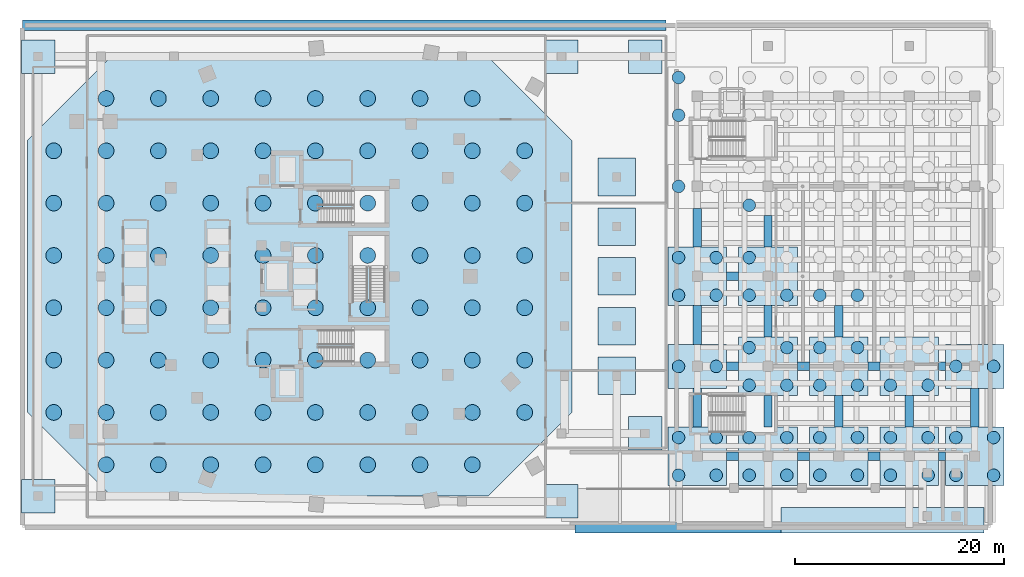
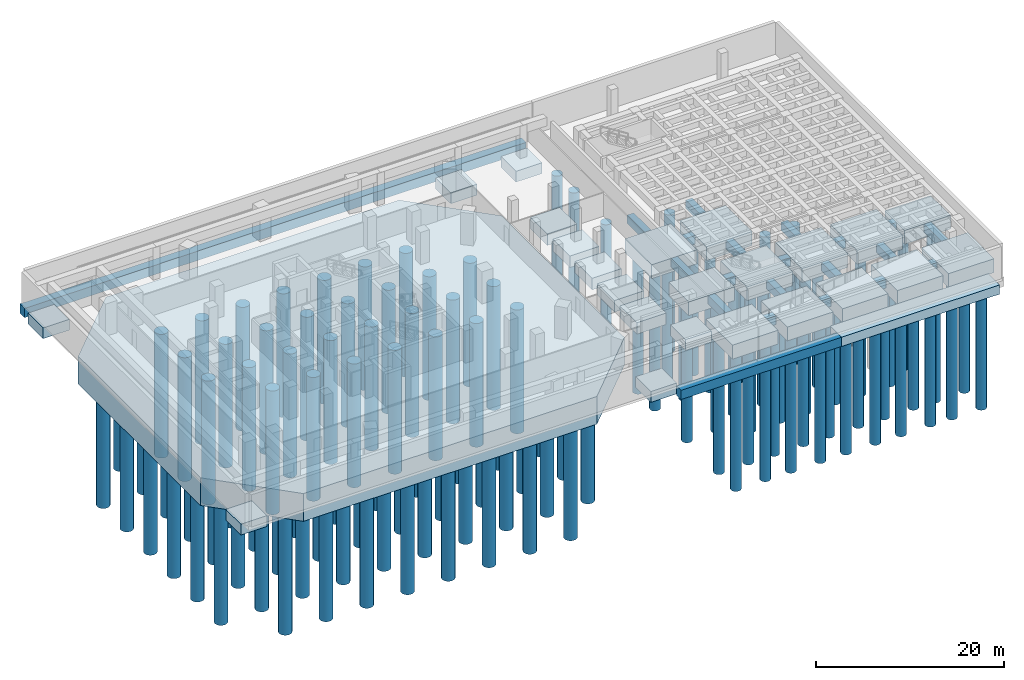
# One storey, part 1 of 15: 123 piles, 46 footings.
"""IFC4 building model written with IfcOpenShell, lengths in metres."""

from ifc_helpers import new_model, si_unit, direction, frame, origin, origin_2d, place, context, subcontext, project, spatial, polyline, rectangle, circle, outline, extrude, material, material_profile, profile_set, type_object, element, save


model = new_model("IFC4")

# Units and contexts
model_context = context("Model", 3, precision=1e-05, world=origin(), true_north=direction((0.0, 1.0)))
body_context = subcontext(model_context, "Body", "Model", "MODEL_VIEW")
ifc_project = project(units=[si_unit("LENGTHUNIT", "METRE"), si_unit("AREAUNIT", "SQUARE_METRE"), si_unit("VOLUMEUNIT", "CUBIC_METRE"), si_unit("PLANEANGLEUNIT", "RADIAN"), si_unit("MASSUNIT", "GRAM", prefix="KILO")], contexts=[model_context])

# Site, building, storey
site_placement = place(None, origin())
site = spatial("IfcSite", under=ifc_project, at=site_placement, CompositionType="ELEMENT")
building_placement = place(site_placement, origin())
building = spatial("IfcBuilding", under=site, at=building_placement, Name="Korentha Bioscience Tower", CompositionType="ELEMENT")
storey_placement = place(building_placement, frame((0.0, 0.0, -9.0)))
storey = spatial("IfcBuildingStorey", under=building, at=storey_placement, Name="B2", CompositionType="ELEMENT", Elevation=-9.0)

# Footings
ifc_material_1 = material(Name="Concrete C50", Category="concrete")
footing_type_1 = type_object("IfcFootingType", Name="Arcade Pad Footing 3600x3600x1500", PredefinedType="PAD_FOOTING", material=ifc_material_1)
for number, where, z_axis, x_axis, name in (
    (1, (58.800048828125, 17.5, -2.0), (0.0, 0.0, 1.0), (1.0, 0.0, 0.0), "Arcade Pad Footing PF-01"),
    (2, (58.800048828125, 22.25, -2.0), (0.0, 0.0, 1.0), (1.0, 0.0, 0.0), "Arcade Pad Footing PF-02"),
    (3, (58.800048828125, 27.0, -2.0), (0.0, 0.0, 1.0), (1.0, 0.0, 0.0), "Arcade Pad Footing PF-03"),
    (4, (58.800048828125, 31.75, -2.0), (0.0, 0.0, 1.0), (1.0, 0.0, 0.0), "Arcade Pad Footing PF-04"),
    (5, (58.800048828125, 36.5, -2.0), (0.0, 0.0, 1.0), (1.0, 0.0, 0.0), "Arcade Pad Footing PF-05"),
):
    element("IfcFooting", number, at=place(storey_placement, frame(where, z_axis=z_axis, x_axis=x_axis)), inside=storey, type_object=footing_type_1, Name=name, PredefinedType="PAD_FOOTING", context=body_context, shape_type="SweptSolid", body=[
        extrude(rectangle(XDim=3.60009765625, YDim=3.60009765625, at=origin_2d()), origin(), (0.0, 0.0, 1.0), 1.5),
    ])
footing_type_2 = type_object("IfcFootingType", Name="Basement Column Pad Footing 3200x3200x1400", PredefinedType="PAD_FOOTING", material=ifc_material_1)
for number, where, z_axis, x_axis, name in (
    (6, (3.5, 6.0, -1.89990234375), (0.0, 0.0, 1.0), (1.0, 0.0, 0.0), "Basement Column Pad Footing 01"),
    (7, (3.5, 48.0, -1.89990234375), (0.0, 0.0, 1.0), (1.0, 0.0, 0.0), "Basement Column Pad Footing 02"),
    (8, (53.5, 5.5, -1.89990234375), (0.0, 0.0, 1.0), (1.0, 0.0, 0.0), "Basement Column Pad Footing 03"),
    (9, (53.5, 48.0, -1.89990234375), (0.0, 0.0, 1.0), (1.0, 0.0, 0.0), "Basement Column Pad Footing 04"),
    (10, (61.5, 12.0, -1.89990234375), (0.0, 0.0, 1.0), (1.0, 0.0, 0.0), "Basement Column Pad Footing 05"),
    (11, (61.5, 48.0, -1.89990234375), (0.0, 0.0, 1.0), (1.0, 0.0, 0.0), "Basement Column Pad Footing 06"),
):
    element("IfcFooting", number, at=place(storey_placement, frame(where, z_axis=z_axis, x_axis=x_axis)), inside=storey, type_object=footing_type_2, Name=name, PredefinedType="PAD_FOOTING", context=body_context, shape_type="SweptSolid", body=[
        extrude(rectangle(XDim=3.199951171875, YDim=3.199951171875, at=origin_2d()), origin(), (0.0, 0.0, 1.0), 1.39990234375),
    ])

# Piles
ifc_material_profile_1 = material_profile(ifc_material_1, circle(Radius=0.60009765625, at=origin_2d()), Name="Concrete C50")
ifc_profile_set_1 = profile_set([ifc_material_profile_1], Name="Concrete C50 (PL-120)")
pile_type_1 = type_object("IfcPileType", Name="Bored Rock-Socketed Pile D1200", PredefinedType="BORED", material=ifc_profile_set_1)
for number, where, z_axis, x_axis, name in (
    (12, (64.699951171875, 8.0, -2.14990234375), (0.0, 0.0, -1.0), (1.0, 0.0, 0.0), "Theatre Bored Pile PL-120-001"),
    (13, (68.300048828125, 8.0, -2.14990234375), (0.0, 0.0, -1.0), (1.0, 0.0, 0.0), "Theatre Bored Pile PL-120-002"),
    (14, (64.699951171875, 11.60009765625, -2.14990234375), (0.0, 0.0, -1.0), (1.0, 0.0, 0.0), "Theatre Bored Pile PL-120-003"),
    (15, (68.300048828125, 11.60009765625, -2.14990234375), (0.0, 0.0, -1.0), (1.0, 0.0, 0.0), "Theatre Bored Pile PL-120-004"),
    (16, (64.699951171875, 18.39990234375, -2.14990234375), (0.0, 0.0, -1.0), (1.0, 0.0, 0.0), "Theatre Bored Pile PL-120-005"),
    (17, (68.300048828125, 18.39990234375, -2.14990234375), (0.0, 0.0, -1.0), (1.0, 0.0, 0.0), "Theatre Bored Pile PL-120-006"),
    (18, (64.699951171875, 25.199951171875, -2.14990234375), (0.0, 0.0, -1.0), (1.0, 0.0, 0.0), "Theatre Bored Pile PL-120-007"),
    (19, (68.300048828125, 25.199951171875, -2.14990234375), (0.0, 0.0, -1.0), (1.0, 0.0, 0.0), "Theatre Bored Pile PL-120-008"),
    (20, (64.699951171875, 28.800048828125, -2.14990234375), (0.0, 0.0, -1.0), (1.0, 0.0, 0.0), "Theatre Bored Pile PL-120-009"),
    (21, (68.300048828125, 28.800048828125, -2.14990234375), (0.0, 0.0, -1.0), (1.0, 0.0, 0.0), "Theatre Bored Pile PL-120-010"),
    (22, (64.699951171875, 35.60009765625, -2.14990234375), (0.0, 0.0, -1.0), (1.0, 0.0, 0.0), "Theatre Bored Pile PL-120-011"),
    (23, (64.699951171875, 42.39990234375, -2.14990234375), (0.0, 0.0, -1.0), (1.0, 0.0, 0.0), "Theatre Bored Pile PL-120-013"),
    (24, (64.699951171875, 46.0, -2.14990234375), (0.0, 0.0, -1.0), (1.0, 0.0, 0.0), "Theatre Bored Pile PL-120-015"),
    (25, (71.449951171875, 8.0, -2.14990234375), (0.0, 0.0, -1.0), (1.0, 0.0, 0.0), "Theatre Bored Pile PL-120-017"),
    (26, (75.050048828125, 8.0, -2.14990234375), (0.0, 0.0, -1.0), (1.0, 0.0, 0.0), "Theatre Bored Pile PL-120-018"),
    (27, (71.449951171875, 11.60009765625, -2.14990234375), (0.0, 0.0, -1.0), (1.0, 0.0, 0.0), "Theatre Bored Pile PL-120-019"),
    (28, (75.050048828125, 11.60009765625, -2.14990234375), (0.0, 0.0, -1.0), (1.0, 0.0, 0.0), "Theatre Bored Pile PL-120-020"),
    (29, (71.449951171875, 16.60009765625, -2.14990234375), (0.0, 0.0, -1.0), (1.0, 0.0, 0.0), "Theatre Bored Pile PL-120-021"),
    (30, (75.050048828125, 16.60009765625, -2.14990234375), (0.0, 0.0, -1.0), (1.0, 0.0, 0.0), "Theatre Bored Pile PL-120-022"),
    (31, (71.449951171875, 20.199951171875, -2.14990234375), (0.0, 0.0, -1.0), (1.0, 0.0, 0.0), "Theatre Bored Pile PL-120-023"),
    (32, (75.050048828125, 20.199951171875, -2.14990234375), (0.0, 0.0, -1.0), (1.0, 0.0, 0.0), "Theatre Bored Pile PL-120-024"),
    (33, (71.449951171875, 25.199951171875, -2.14990234375), (0.0, 0.0, -1.0), (1.0, 0.0, 0.0), "Theatre Bored Pile PL-120-025"),
    (34, (75.050048828125, 25.199951171875, -2.14990234375), (0.0, 0.0, -1.0), (1.0, 0.0, 0.0), "Theatre Bored Pile PL-120-026"),
    (35, (71.449951171875, 28.800048828125, -2.14990234375), (0.0, 0.0, -1.0), (1.0, 0.0, 0.0), "Theatre Bored Pile PL-120-027"),
    (36, (71.449951171875, 33.800048828125, -2.14990234375), (0.0, 0.0, -1.0), (1.0, 0.0, 0.0), "Theatre Bored Pile PL-120-029"),
    (37, (78.199951171875, 8.0, -2.14990234375), (0.0, 0.0, -1.0), (1.0, 0.0, 0.0), "Theatre Bored Pile PL-120-037"),
    (38, (81.800048828125, 8.0, -2.14990234375), (0.0, 0.0, -1.0), (1.0, 0.0, 0.0), "Theatre Bored Pile PL-120-038"),
    (39, (78.199951171875, 11.60009765625, -2.14990234375), (0.0, 0.0, -1.0), (1.0, 0.0, 0.0), "Theatre Bored Pile PL-120-039"),
    (40, (81.800048828125, 11.60009765625, -2.14990234375), (0.0, 0.0, -1.0), (1.0, 0.0, 0.0), "Theatre Bored Pile PL-120-040"),
    (41, (78.199951171875, 16.60009765625, -2.14990234375), (0.0, 0.0, -1.0), (1.0, 0.0, 0.0), "Theatre Bored Pile PL-120-041"),
    (42, (81.800048828125, 16.60009765625, -2.14990234375), (0.0, 0.0, -1.0), (1.0, 0.0, 0.0), "Theatre Bored Pile PL-120-042"),
    (43, (78.199951171875, 20.199951171875, -2.14990234375), (0.0, 0.0, -1.0), (1.0, 0.0, 0.0), "Theatre Bored Pile PL-120-043"),
    (44, (81.800048828125, 20.199951171875, -2.14990234375), (0.0, 0.0, -1.0), (1.0, 0.0, 0.0), "Theatre Bored Pile PL-120-044"),
    (45, (78.199951171875, 25.199951171875, -2.14990234375), (0.0, 0.0, -1.0), (1.0, 0.0, 0.0), "Theatre Bored Pile PL-120-045"),
    (46, (81.800048828125, 25.199951171875, -2.14990234375), (0.0, 0.0, -1.0), (1.0, 0.0, 0.0), "Theatre Bored Pile PL-120-046"),
    (47, (84.949951171875, 8.0, -2.14990234375), (0.0, 0.0, -1.0), (1.0, 0.0, 0.0), "Theatre Bored Pile PL-120-057"),
    (48, (88.550048828125, 8.0, -2.14990234375), (0.0, 0.0, -1.0), (1.0, 0.0, 0.0), "Theatre Bored Pile PL-120-058"),
    (49, (84.949951171875, 11.60009765625, -2.14990234375), (0.0, 0.0, -1.0), (1.0, 0.0, 0.0), "Theatre Bored Pile PL-120-059"),
    (50, (88.550048828125, 11.60009765625, -2.14990234375), (0.0, 0.0, -1.0), (1.0, 0.0, 0.0), "Theatre Bored Pile PL-120-060"),
    (51, (84.949951171875, 16.60009765625, -2.14990234375), (0.0, 0.0, -1.0), (1.0, 0.0, 0.0), "Theatre Bored Pile PL-120-061"),
    (52, (88.550048828125, 16.60009765625, -2.14990234375), (0.0, 0.0, -1.0), (1.0, 0.0, 0.0), "Theatre Bored Pile PL-120-062"),
    (53, (91.199951171875, 8.0, -2.14990234375), (0.0, 0.0, -1.0), (1.0, 0.0, 0.0), "Theatre Bored Pile PL-120-077"),
    (54, (94.800048828125, 8.0, -2.14990234375), (0.0, 0.0, -1.0), (1.0, 0.0, 0.0), "Theatre Bored Pile PL-120-078"),
    (55, (91.199951171875, 11.60009765625, -2.14990234375), (0.0, 0.0, -1.0), (1.0, 0.0, 0.0), "Theatre Bored Pile PL-120-079"),
    (56, (94.800048828125, 11.60009765625, -2.14990234375), (0.0, 0.0, -1.0), (1.0, 0.0, 0.0), "Theatre Bored Pile PL-120-080"),
    (57, (91.199951171875, 18.39990234375, -2.14990234375), (0.0, 0.0, -1.0), (1.0, 0.0, 0.0), "Theatre Bored Pile PL-120-081"),
    (58, (94.800048828125, 18.39990234375, -2.14990234375), (0.0, 0.0, -1.0), (1.0, 0.0, 0.0), "Theatre Bored Pile PL-120-082"),
):
    element("IfcPile", number, at=place(storey_placement, frame(where, z_axis=z_axis, x_axis=x_axis)), inside=storey, type_object=pile_type_1, Name=name, PredefinedType="BORED", context=body_context, shape_type="SweptSolid", body=[
        extrude(circle(Radius=0.60009765625, at=origin_2d()), origin(), (0.0, 0.0, 1.0), 17.85009765625),
    ])
ifc_material_profile_2 = material_profile(ifc_material_1, circle(Radius=0.75, at=origin_2d()), Name="Concrete C50")
ifc_profile_set_2 = profile_set([ifc_material_profile_2], Name="Concrete C50 (PL-150)")
pile_type_2 = type_object("IfcPileType", Name="Bored Rock-Socketed Pile D1500", PredefinedType="BORED", material=ifc_profile_set_2)
for number, where, z_axis, x_axis, name in (
    (59, (5.0, 14.0, -3.949951171875), (0.0, 0.0, -1.0), (1.0, 0.0, 0.0), "Tower Bored Pile PL-150-001"),
    (60, (5.0, 19.0, -3.949951171875), (0.0, 0.0, -1.0), (1.0, 0.0, 0.0), "Tower Bored Pile PL-150-002"),
    (61, (5.0, 24.0, -3.949951171875), (0.0, 0.0, -1.0), (1.0, 0.0, 0.0), "Tower Bored Pile PL-150-003"),
    (62, (5.0, 29.0, -3.949951171875), (0.0, 0.0, -1.0), (1.0, 0.0, 0.0), "Tower Bored Pile PL-150-004"),
    (63, (5.0, 34.0, -3.949951171875), (0.0, 0.0, -1.0), (1.0, 0.0, 0.0), "Tower Bored Pile PL-150-005"),
    (64, (5.0, 39.0, -3.949951171875), (0.0, 0.0, -1.0), (1.0, 0.0, 0.0), "Tower Bored Pile PL-150-006"),
    (65, (10.0, 9.0, -3.949951171875), (0.0, 0.0, -1.0), (1.0, 0.0, 0.0), "Tower Bored Pile PL-150-007"),
    (66, (10.0, 14.0, -3.949951171875), (0.0, 0.0, -1.0), (1.0, 0.0, 0.0), "Tower Bored Pile PL-150-008"),
    (67, (10.0, 19.0, -3.949951171875), (0.0, 0.0, -1.0), (1.0, 0.0, 0.0), "Tower Bored Pile PL-150-009"),
    (68, (10.0, 24.0, -3.949951171875), (0.0, 0.0, -1.0), (1.0, 0.0, 0.0), "Tower Bored Pile PL-150-010"),
    (69, (10.0, 29.0, -3.949951171875), (0.0, 0.0, -1.0), (1.0, 0.0, 0.0), "Tower Bored Pile PL-150-011"),
    (70, (10.0, 34.0, -3.949951171875), (0.0, 0.0, -1.0), (1.0, 0.0, 0.0), "Tower Bored Pile PL-150-012"),
    (71, (10.0, 39.0, -3.949951171875), (0.0, 0.0, -1.0), (1.0, 0.0, 0.0), "Tower Bored Pile PL-150-013"),
    (72, (10.0, 44.0, -3.949951171875), (0.0, 0.0, -1.0), (1.0, 0.0, 0.0), "Tower Bored Pile PL-150-014"),
    (73, (15.0, 9.0, -3.949951171875), (0.0, 0.0, -1.0), (1.0, 0.0, 0.0), "Tower Bored Pile PL-150-015"),
    (74, (15.0, 14.0, -3.949951171875), (0.0, 0.0, -1.0), (1.0, 0.0, 0.0), "Tower Bored Pile PL-150-016"),
    (75, (15.0, 19.0, -3.949951171875), (0.0, 0.0, -1.0), (1.0, 0.0, 0.0), "Tower Bored Pile PL-150-017"),
    (76, (15.0, 24.0, -3.949951171875), (0.0, 0.0, -1.0), (1.0, 0.0, 0.0), "Tower Bored Pile PL-150-018"),
    (77, (15.0, 29.0, -3.949951171875), (0.0, 0.0, -1.0), (1.0, 0.0, 0.0), "Tower Bored Pile PL-150-019"),
    (78, (15.0, 34.0, -3.949951171875), (0.0, 0.0, -1.0), (1.0, 0.0, 0.0), "Tower Bored Pile PL-150-020"),
    (79, (15.0, 39.0, -3.949951171875), (0.0, 0.0, -1.0), (1.0, 0.0, 0.0), "Tower Bored Pile PL-150-021"),
    (80, (15.0, 44.0, -3.949951171875), (0.0, 0.0, -1.0), (1.0, 0.0, 0.0), "Tower Bored Pile PL-150-022"),
    (81, (20.0, 9.0, -3.949951171875), (0.0, 0.0, -1.0), (1.0, 0.0, 0.0), "Tower Bored Pile PL-150-023"),
    (82, (20.0, 14.0, -3.949951171875), (0.0, 0.0, -1.0), (1.0, 0.0, 0.0), "Tower Bored Pile PL-150-024"),
    (83, (20.0, 19.0, -3.949951171875), (0.0, 0.0, -1.0), (1.0, 0.0, 0.0), "Tower Bored Pile PL-150-025"),
    (84, (20.0, 24.0, -3.949951171875), (0.0, 0.0, -1.0), (1.0, 0.0, 0.0), "Tower Bored Pile PL-150-026"),
    (85, (20.0, 29.0, -3.949951171875), (0.0, 0.0, -1.0), (1.0, 0.0, 0.0), "Tower Bored Pile PL-150-027"),
    (86, (20.0, 34.0, -3.949951171875), (0.0, 0.0, -1.0), (1.0, 0.0, 0.0), "Tower Bored Pile PL-150-028"),
    (87, (20.0, 39.0, -3.949951171875), (0.0, 0.0, -1.0), (1.0, 0.0, 0.0), "Tower Bored Pile PL-150-029"),
    (88, (20.0, 44.0, -3.949951171875), (0.0, 0.0, -1.0), (1.0, 0.0, 0.0), "Tower Bored Pile PL-150-030"),
    (89, (25.0, 9.0, -3.949951171875), (0.0, 0.0, -1.0), (1.0, 0.0, 0.0), "Tower Bored Pile PL-150-031"),
    (90, (25.0, 14.0, -3.949951171875), (0.0, 0.0, -1.0), (1.0, 0.0, 0.0), "Tower Bored Pile PL-150-032"),
    (91, (25.0, 19.0, -3.949951171875), (0.0, 0.0, -1.0), (1.0, 0.0, 0.0), "Tower Bored Pile PL-150-033"),
    (92, (25.0, 24.0, -3.949951171875), (0.0, 0.0, -1.0), (1.0, 0.0, 0.0), "Tower Bored Pile PL-150-034"),
    (93, (25.0, 29.0, -3.949951171875), (0.0, 0.0, -1.0), (1.0, 0.0, 0.0), "Tower Bored Pile PL-150-035"),
    (94, (25.0, 34.0, -3.949951171875), (0.0, 0.0, -1.0), (1.0, 0.0, 0.0), "Tower Bored Pile PL-150-036"),
    (95, (25.0, 39.0, -3.949951171875), (0.0, 0.0, -1.0), (1.0, 0.0, 0.0), "Tower Bored Pile PL-150-037"),
    (96, (25.0, 44.0, -3.949951171875), (0.0, 0.0, -1.0), (1.0, 0.0, 0.0), "Tower Bored Pile PL-150-038"),
    (97, (30.0, 9.0, -3.949951171875), (0.0, 0.0, -1.0), (1.0, 0.0, 0.0), "Tower Bored Pile PL-150-039"),
    (98, (30.0, 14.0, -3.949951171875), (0.0, 0.0, -1.0), (1.0, 0.0, 0.0), "Tower Bored Pile PL-150-040"),
    (99, (30.0, 19.0, -3.949951171875), (0.0, 0.0, -1.0), (1.0, 0.0, 0.0), "Tower Bored Pile PL-150-041"),
    (100, (30.0, 24.0, -3.949951171875), (0.0, 0.0, -1.0), (1.0, 0.0, 0.0), "Tower Bored Pile PL-150-042"),
    (101, (30.0, 29.0, -3.949951171875), (0.0, 0.0, -1.0), (1.0, 0.0, 0.0), "Tower Bored Pile PL-150-043"),
    (102, (30.0, 34.0, -3.949951171875), (0.0, 0.0, -1.0), (1.0, 0.0, 0.0), "Tower Bored Pile PL-150-044"),
    (103, (30.0, 39.0, -3.949951171875), (0.0, 0.0, -1.0), (1.0, 0.0, 0.0), "Tower Bored Pile PL-150-045"),
    (104, (30.0, 44.0, -3.949951171875), (0.0, 0.0, -1.0), (1.0, 0.0, 0.0), "Tower Bored Pile PL-150-046"),
    (105, (35.0, 9.0, -3.949951171875), (0.0, 0.0, -1.0), (1.0, 0.0, 0.0), "Tower Bored Pile PL-150-047"),
    (106, (35.0, 14.0, -3.949951171875), (0.0, 0.0, -1.0), (1.0, 0.0, 0.0), "Tower Bored Pile PL-150-048"),
    (107, (35.0, 19.0, -3.949951171875), (0.0, 0.0, -1.0), (1.0, 0.0, 0.0), "Tower Bored Pile PL-150-049"),
    (108, (35.0, 24.0, -3.949951171875), (0.0, 0.0, -1.0), (1.0, 0.0, 0.0), "Tower Bored Pile PL-150-050"),
    (109, (35.0, 29.0, -3.949951171875), (0.0, 0.0, -1.0), (1.0, 0.0, 0.0), "Tower Bored Pile PL-150-051"),
    (110, (35.0, 34.0, -3.949951171875), (0.0, 0.0, -1.0), (1.0, 0.0, 0.0), "Tower Bored Pile PL-150-052"),
    (111, (35.0, 39.0, -3.949951171875), (0.0, 0.0, -1.0), (1.0, 0.0, 0.0), "Tower Bored Pile PL-150-053"),
    (112, (35.0, 44.0, -3.949951171875), (0.0, 0.0, -1.0), (1.0, 0.0, 0.0), "Tower Bored Pile PL-150-054"),
    (113, (40.0, 9.0, -3.949951171875), (0.0, 0.0, -1.0), (1.0, 0.0, 0.0), "Tower Bored Pile PL-150-055"),
    (114, (40.0, 14.0, -3.949951171875), (0.0, 0.0, -1.0), (1.0, 0.0, 0.0), "Tower Bored Pile PL-150-056"),
    (115, (40.0, 19.0, -3.949951171875), (0.0, 0.0, -1.0), (1.0, 0.0, 0.0), "Tower Bored Pile PL-150-057"),
    (116, (40.0, 24.0, -3.949951171875), (0.0, 0.0, -1.0), (1.0, 0.0, 0.0), "Tower Bored Pile PL-150-058"),
    (117, (40.0, 29.0, -3.949951171875), (0.0, 0.0, -1.0), (1.0, 0.0, 0.0), "Tower Bored Pile PL-150-059"),
    (118, (40.0, 34.0, -3.949951171875), (0.0, 0.0, -1.0), (1.0, 0.0, 0.0), "Tower Bored Pile PL-150-060"),
    (119, (40.0, 39.0, -3.949951171875), (0.0, 0.0, -1.0), (1.0, 0.0, 0.0), "Tower Bored Pile PL-150-061"),
    (120, (40.0, 44.0, -3.949951171875), (0.0, 0.0, -1.0), (1.0, 0.0, 0.0), "Tower Bored Pile PL-150-062"),
    (121, (45.0, 9.0, -3.949951171875), (0.0, 0.0, -1.0), (1.0, 0.0, 0.0), "Tower Bored Pile PL-150-063"),
    (122, (45.0, 14.0, -3.949951171875), (0.0, 0.0, -1.0), (1.0, 0.0, 0.0), "Tower Bored Pile PL-150-064"),
    (123, (45.0, 19.0, -3.949951171875), (0.0, 0.0, -1.0), (1.0, 0.0, 0.0), "Tower Bored Pile PL-150-065"),
    (124, (45.0, 24.0, -3.949951171875), (0.0, 0.0, -1.0), (1.0, 0.0, 0.0), "Tower Bored Pile PL-150-066"),
    (125, (45.0, 29.0, -3.949951171875), (0.0, 0.0, -1.0), (1.0, 0.0, 0.0), "Tower Bored Pile PL-150-067"),
    (126, (45.0, 34.0, -3.949951171875), (0.0, 0.0, -1.0), (1.0, 0.0, 0.0), "Tower Bored Pile PL-150-068"),
    (127, (45.0, 39.0, -3.949951171875), (0.0, 0.0, -1.0), (1.0, 0.0, 0.0), "Tower Bored Pile PL-150-069"),
    (128, (45.0, 44.0, -3.949951171875), (0.0, 0.0, -1.0), (1.0, 0.0, 0.0), "Tower Bored Pile PL-150-070"),
    (129, (50.0, 14.0, -3.949951171875), (0.0, 0.0, -1.0), (1.0, 0.0, 0.0), "Tower Bored Pile PL-150-071"),
    (130, (50.0, 19.0, -3.949951171875), (0.0, 0.0, -1.0), (1.0, 0.0, 0.0), "Tower Bored Pile PL-150-072"),
    (131, (50.0, 24.0, -3.949951171875), (0.0, 0.0, -1.0), (1.0, 0.0, 0.0), "Tower Bored Pile PL-150-073"),
    (132, (50.0, 29.0, -3.949951171875), (0.0, 0.0, -1.0), (1.0, 0.0, 0.0), "Tower Bored Pile PL-150-074"),
    (133, (50.0, 34.0, -3.949951171875), (0.0, 0.0, -1.0), (1.0, 0.0, 0.0), "Tower Bored Pile PL-150-075"),
    (134, (50.0, 39.0, -3.949951171875), (0.0, 0.0, -1.0), (1.0, 0.0, 0.0), "Tower Bored Pile PL-150-076"),
):
    element("IfcPile", number, at=place(storey_placement, frame(where, z_axis=z_axis, x_axis=x_axis)), inside=storey, type_object=pile_type_2, Name=name, PredefinedType="BORED", context=body_context, shape_type="SweptSolid", body=[
        extrude(circle(Radius=0.75, at=origin_2d()), origin(), (0.0, 0.0, 1.0), 16.050048828125),
    ])

# Footings
footing_type_3 = type_object("IfcFootingType", Name="Foundation Tie Beam 800x1100", PredefinedType="FOOTING_BEAM", material=ifc_material_1)
footing_1_placement = place(storey_placement, frame((0.0, 0.0, -1.60009765625)))
element("IfcFooting", 135, at=footing_1_placement, inside=storey, type_object=footing_type_3, Name="Theatre Tie Beam X-1-1", PredefinedType="FOOTING_BEAM", context=body_context, shape_type="SweptSolid", body=[
    extrude(outline(polyline([(69.300048828125, 9.39990234375), (70.449951171875, 9.39990234375), (70.449951171875, 10.199951171875), (69.300048828125, 10.199951171875), (69.300048828125, 9.39990234375)])), origin(), (0.0, 0.0, 1.0), 1.10009765625),
])
footing_2_placement = place(storey_placement, frame((0.0, 0.0, -1.60009765625)))
element("IfcFooting", 136, at=footing_2_placement, inside=storey, type_object=footing_type_3, Name="Theatre Tie Beam Y-1-1", PredefinedType="FOOTING_BEAM", context=body_context, shape_type="SweptSolid", body=[
    extrude(outline(polyline([(66.10009765625, 12.60009765625), (66.89990234375, 12.60009765625), (66.89990234375, 16.300048828125), (66.10009765625, 16.300048828125), (66.10009765625, 12.60009765625)])), origin(), (0.0, 0.0, 1.0), 1.10009765625),
])
footing_3_placement = place(storey_placement, frame((0.0, 0.0, -1.60009765625)))
element("IfcFooting", 137, at=footing_3_placement, inside=storey, type_object=footing_type_3, Name="Theatre Tie Beam X-1-2", PredefinedType="FOOTING_BEAM", context=body_context, shape_type="SweptSolid", body=[
    extrude(outline(polyline([(69.300048828125, 18.0), (70.449951171875, 18.0), (70.449951171875, 18.800048828125), (69.300048828125, 18.800048828125), (69.300048828125, 18.0)])), origin(), (0.0, 0.0, 1.0), 1.10009765625),
])
footing_4_placement = place(storey_placement, frame((0.0, 0.0, -1.60009765625)))
element("IfcFooting", 138, at=footing_4_placement, inside=storey, type_object=footing_type_3, Name="Theatre Tie Beam Y-1-2", PredefinedType="FOOTING_BEAM", context=body_context, shape_type="SweptSolid", body=[
    extrude(outline(polyline([(66.10009765625, 20.5), (66.89990234375, 20.5), (66.89990234375, 24.199951171875), (66.10009765625, 24.199951171875), (66.10009765625, 20.5)])), origin(), (0.0, 0.0, 1.0), 1.10009765625),
])
footing_5_placement = place(storey_placement, frame((0.0, 0.0, -1.60009765625)))
element("IfcFooting", 139, at=footing_5_placement, inside=storey, type_object=footing_type_3, Name="Theatre Tie Beam X-1-3", PredefinedType="FOOTING_BEAM", context=body_context, shape_type="SweptSolid", body=[
    extrude(outline(polyline([(69.300048828125, 26.60009765625), (70.449951171875, 26.60009765625), (70.449951171875, 27.39990234375), (69.300048828125, 27.39990234375), (69.300048828125, 26.60009765625)])), origin(), (0.0, 0.0, 1.0), 1.10009765625),
])
footing_6_placement = place(storey_placement, frame((0.0, 0.0, -1.60009765625)))
element("IfcFooting", 140, at=footing_6_placement, inside=storey, type_object=footing_type_3, Name="Theatre Tie Beam Y-1-3", PredefinedType="FOOTING_BEAM", context=body_context, shape_type="SweptSolid", body=[
    extrude(outline(polyline([(66.10009765625, 29.800048828125), (66.89990234375, 29.800048828125), (66.89990234375, 33.5), (66.10009765625, 33.5), (66.10009765625, 29.800048828125)])), origin(), (0.0, 0.0, 1.0), 1.10009765625),
])
footing_7_placement = place(storey_placement, frame((0.0, 0.0, -1.60009765625)))
element("IfcFooting", 141, at=footing_7_placement, inside=storey, type_object=footing_type_3, Name="Theatre Tie Beam X-2-1", PredefinedType="FOOTING_BEAM", context=body_context, shape_type="SweptSolid", body=[
    extrude(outline(polyline([(76.050048828125, 9.39990234375), (77.199951171875, 9.39990234375), (77.199951171875, 10.199951171875), (76.050048828125, 10.199951171875), (76.050048828125, 9.39990234375)])), origin(), (0.0, 0.0, 1.0), 1.10009765625),
])
footing_8_placement = place(storey_placement, frame((0.0, 0.0, -1.60009765625)))
element("IfcFooting", 142, at=footing_8_placement, inside=storey, type_object=footing_type_3, Name="Theatre Tie Beam Y-2-1", PredefinedType="FOOTING_BEAM", context=body_context, shape_type="SweptSolid", body=[
    extrude(outline(polyline([(72.85009765625, 12.60009765625), (73.64990234375, 12.60009765625), (73.64990234375, 15.60009765625), (72.85009765625, 15.60009765625), (72.85009765625, 12.60009765625)])), origin(), (0.0, 0.0, 1.0), 1.10009765625),
])
footing_9_placement = place(storey_placement, frame((0.0, 0.0, -1.60009765625)))
element("IfcFooting", 143, at=footing_9_placement, inside=storey, type_object=footing_type_3, Name="Theatre Tie Beam X-2-2", PredefinedType="FOOTING_BEAM", context=body_context, shape_type="SweptSolid", body=[
    extrude(outline(polyline([(76.050048828125, 18.0), (77.199951171875, 18.0), (77.199951171875, 18.800048828125), (76.050048828125, 18.800048828125), (76.050048828125, 18.0)])), origin(), (0.0, 0.0, 1.0), 1.10009765625),
])
footing_10_placement = place(storey_placement, frame((0.0, 0.0, -1.60009765625)))
element("IfcFooting", 144, at=footing_10_placement, inside=storey, type_object=footing_type_3, Name="Theatre Tie Beam Y-2-2", PredefinedType="FOOTING_BEAM", context=body_context, shape_type="SweptSolid", body=[
    extrude(outline(polyline([(72.85009765625, 21.199951171875), (73.64990234375, 21.199951171875), (73.64990234375, 24.199951171875), (72.85009765625, 24.199951171875), (72.85009765625, 21.199951171875)])), origin(), (0.0, 0.0, 1.0), 1.10009765625),
])
footing_11_placement = place(storey_placement, frame((0.0, 0.0, -1.60009765625)))
element("IfcFooting", 145, at=footing_11_placement, inside=storey, type_object=footing_type_3, Name="Theatre Tie Beam Y-2-3", PredefinedType="FOOTING_BEAM", context=body_context, shape_type="SweptSolid", body=[
    extrude(outline(polyline([(72.85009765625, 29.800048828125), (73.64990234375, 29.800048828125), (73.64990234375, 32.800048828125), (72.85009765625, 32.800048828125), (72.85009765625, 29.800048828125)])), origin(), (0.0, 0.0, 1.0), 1.10009765625),
])
footing_12_placement = place(storey_placement, frame((0.0, 0.0, -1.60009765625)))
element("IfcFooting", 146, at=footing_12_placement, inside=storey, type_object=footing_type_3, Name="Theatre Tie Beam X-3-1", PredefinedType="FOOTING_BEAM", context=body_context, shape_type="SweptSolid", body=[
    extrude(outline(polyline([(82.800048828125, 9.39990234375), (83.949951171875, 9.39990234375), (83.949951171875, 10.199951171875), (82.800048828125, 10.199951171875), (82.800048828125, 9.39990234375)])), origin(), (0.0, 0.0, 1.0), 1.10009765625),
])
footing_13_placement = place(storey_placement, frame((0.0, 0.0, -1.60009765625)))
element("IfcFooting", 147, at=footing_13_placement, inside=storey, type_object=footing_type_3, Name="Theatre Tie Beam Y-3-1", PredefinedType="FOOTING_BEAM", context=body_context, shape_type="SweptSolid", body=[
    extrude(outline(polyline([(79.60009765625, 12.60009765625), (80.39990234375, 12.60009765625), (80.39990234375, 15.60009765625), (79.60009765625, 15.60009765625), (79.60009765625, 12.60009765625)])), origin(), (0.0, 0.0, 1.0), 1.10009765625),
])
footing_14_placement = place(storey_placement, frame((0.0, 0.0, -1.60009765625)))
element("IfcFooting", 148, at=footing_14_placement, inside=storey, type_object=footing_type_3, Name="Theatre Tie Beam X-3-2", PredefinedType="FOOTING_BEAM", context=body_context, shape_type="SweptSolid", body=[
    extrude(outline(polyline([(82.800048828125, 18.0), (83.949951171875, 18.0), (83.949951171875, 18.800048828125), (82.800048828125, 18.800048828125), (82.800048828125, 18.0)])), origin(), (0.0, 0.0, 1.0), 1.10009765625),
])
footing_15_placement = place(storey_placement, frame((0.0, 0.0, -1.60009765625)))
element("IfcFooting", 149, at=footing_15_placement, inside=storey, type_object=footing_type_3, Name="Theatre Tie Beam Y-3-2", PredefinedType="FOOTING_BEAM", context=body_context, shape_type="SweptSolid", body=[
    extrude(outline(polyline([(79.60009765625, 21.199951171875), (80.39990234375, 21.199951171875), (80.39990234375, 24.199951171875), (79.60009765625, 24.199951171875), (79.60009765625, 21.199951171875)])), origin(), (0.0, 0.0, 1.0), 1.10009765625),
])
footing_16_placement = place(storey_placement, frame((0.0, 0.0, -1.60009765625)))
element("IfcFooting", 150, at=footing_16_placement, inside=storey, type_object=footing_type_3, Name="Theatre Tie Beam X-4-1", PredefinedType="FOOTING_BEAM", context=body_context, shape_type="SweptSolid", body=[
    extrude(outline(polyline([(89.550048828125, 9.39990234375), (90.199951171875, 9.39990234375), (90.199951171875, 10.199951171875), (89.550048828125, 10.199951171875), (89.550048828125, 9.39990234375)])), origin(), (0.0, 0.0, 1.0), 1.10009765625),
])
footing_17_placement = place(storey_placement, frame((0.0, 0.0, -1.60009765625)))
element("IfcFooting", 151, at=footing_17_placement, inside=storey, type_object=footing_type_3, Name="Theatre Tie Beam Y-4-1", PredefinedType="FOOTING_BEAM", context=body_context, shape_type="SweptSolid", body=[
    extrude(outline(polyline([(86.35009765625, 12.60009765625), (87.14990234375, 12.60009765625), (87.14990234375, 15.60009765625), (86.35009765625, 15.60009765625), (86.35009765625, 12.60009765625)])), origin(), (0.0, 0.0, 1.0), 1.10009765625),
])
footing_18_placement = place(storey_placement, frame((0.0, 0.0, -1.60009765625)))
element("IfcFooting", 152, at=footing_18_placement, inside=storey, type_object=footing_type_3, Name="Theatre Tie Beam X-4-2", PredefinedType="FOOTING_BEAM", context=body_context, shape_type="SweptSolid", body=[
    extrude(outline(polyline([(89.550048828125, 18.0), (90.199951171875, 18.0), (90.199951171875, 18.800048828125), (89.550048828125, 18.800048828125), (89.550048828125, 18.0)])), origin(), (0.0, 0.0, 1.0), 1.10009765625),
])
footing_19_placement = place(storey_placement, frame((0.0, 0.0, -1.60009765625)))
element("IfcFooting", 153, at=footing_19_placement, inside=storey, type_object=footing_type_3, Name="Theatre Tie Beam Y-5-1", PredefinedType="FOOTING_BEAM", context=body_context, shape_type="SweptSolid", body=[
    extrude(outline(polyline([(92.60009765625, 12.60009765625), (93.39990234375, 12.60009765625), (93.39990234375, 16.300048828125), (92.60009765625, 16.300048828125), (92.60009765625, 12.60009765625)])), origin(), (0.0, 0.0, 1.0), 1.10009765625),
])
footing_type_4 = type_object("IfcFootingType", Name="Perimeter Strip Footing 1000x1200", PredefinedType="STRIP_FOOTING", material=ifc_material_1)
footing_20_placement = place(storey_placement, frame((0.0, 0.0, -1.699951171875)))
element("IfcFooting", 154, at=footing_20_placement, inside=storey, type_object=footing_type_4, Name="Basement Retaining Strip Footing SF-N1", PredefinedType="STRIP_FOOTING", context=body_context, shape_type="SweptSolid", body=[
    extrude(outline(polyline([(2.0, 50.5), (63.5, 50.5), (63.5, 51.5), (2.0, 51.5), (2.0, 50.5)])), origin(), (0.0, 0.0, 1.0), 1.199951171875),
])
footing_21_placement = place(storey_placement, frame((0.0, 0.0, -1.699951171875)))
element("IfcFooting", 155, at=footing_21_placement, inside=storey, type_object=footing_type_4, Name="Basement Retaining Strip Footing SF-S1", PredefinedType="STRIP_FOOTING", context=body_context, shape_type="SweptSolid", body=[
    extrude(outline(polyline([(54.800048828125, 2.5), (74.5, 2.5), (74.5, 3.5), (54.800048828125, 3.5), (54.800048828125, 2.5)])), origin(), (0.0, 0.0, 1.0), 1.199951171875),
])
footing_22_placement = place(storey_placement, frame((0.0, 0.0, -1.699951171875)))
element("IfcFooting", 156, at=footing_22_placement, inside=storey, type_object=footing_type_4, Name="Basement Retaining Strip Footing SF-S2", PredefinedType="STRIP_FOOTING", context=body_context, shape_type="SweptSolid", body=[
    extrude(outline(polyline([(74.5, 2.5), (93.89990234375, 2.5), (93.89990234375, 4.89990234375), (74.5, 4.89990234375), (74.5, 2.5)])), origin(), (0.0, 0.0, 1.0), 1.199951171875),
])
footing_type_5 = type_object("IfcFootingType", Name="Theatre Pile Cap 5600x4200x1800", PredefinedType="PILE_CAP", material=ifc_material_1)
for number, where, z_axis, x_axis, name in (
    (157, (66.5, 18.39990234375, -2.2998046875), (0.0, 0.0, 1.0), (1.0, 0.0, 0.0), "Theatre Pile Cap 02"),
    (158, (93.0, 18.39990234375, -2.2998046875), (0.0, 0.0, 1.0), (1.0, 0.0, 0.0), "Theatre Pile Cap 22"),
):
    element("IfcFooting", number, at=place(storey_placement, frame(where, z_axis=z_axis, x_axis=x_axis)), inside=storey, type_object=footing_type_5, Name=name, PredefinedType="PILE_CAP", context=body_context, shape_type="SweptSolid", body=[
        extrude(rectangle(XDim=5.60009765625, YDim=4.199951171875, at=origin_2d()), origin(), (0.0, 0.0, 1.0), 1.800048828125),
    ])
footing_type_6 = type_object("IfcFootingType", Name="Theatre Pile Cap 5600x5600x1800", PredefinedType="PILE_CAP", material=ifc_material_1)
for number, where, z_axis, x_axis, name in (
    (159, (66.5, 9.800048828125, -2.2998046875), (0.0, 0.0, 1.0), (1.0, 0.0, 0.0), "Theatre Pile Cap 01"),
    (160, (66.5, 27.0, -2.2998046875), (0.0, 0.0, 1.0), (1.0, 0.0, 0.0), "Theatre Pile Cap 03"),
    (161, (73.25, 9.800048828125, -2.2998046875), (0.0, 0.0, 1.0), (1.0, 0.0, 0.0), "Theatre Pile Cap 06"),
    (162, (73.25, 18.39990234375, -2.2998046875), (0.0, 0.0, 1.0), (1.0, 0.0, 0.0), "Theatre Pile Cap 07"),
    (163, (73.25, 27.0, -2.2998046875), (0.0, 0.0, 1.0), (1.0, 0.0, 0.0), "Theatre Pile Cap 08"),
    (164, (80.0, 9.800048828125, -2.2998046875), (0.0, 0.0, 1.0), (1.0, 0.0, 0.0), "Theatre Pile Cap 11"),
    (165, (80.0, 18.39990234375, -2.2998046875), (0.0, 0.0, 1.0), (1.0, 0.0, 0.0), "Theatre Pile Cap 12"),
    (166, (86.75, 9.800048828125, -2.2998046875), (0.0, 0.0, 1.0), (1.0, 0.0, 0.0), "Theatre Pile Cap 16"),
    (167, (86.75, 18.39990234375, -2.2998046875), (0.0, 0.0, 1.0), (1.0, 0.0, 0.0), "Theatre Pile Cap 17"),
    (168, (93.0, 9.800048828125, -2.2998046875), (0.0, 0.0, 1.0), (1.0, 0.0, 0.0), "Theatre Pile Cap 21"),
):
    element("IfcFooting", number, at=place(storey_placement, frame(where, z_axis=z_axis, x_axis=x_axis)), inside=storey, type_object=footing_type_6, Name=name, PredefinedType="PILE_CAP", context=body_context, shape_type="SweptSolid", body=[
        extrude(rectangle(XDim=5.60009765625, YDim=5.60009765625, at=origin_2d()), origin(), (0.0, 0.0, 1.0), 1.800048828125),
    ])
ifc_material_2 = material(Name="Concrete C65", Category="concrete")
footing_type_7 = type_object("IfcFootingType", Name="Tower Piled Raft 3600", PredefinedType="USERDEFINED", material=ifc_material_2)
footing_23_placement = place(storey_placement, frame((0.0, 0.0, -4.10009765625)))
element("IfcFooting", 169, at=footing_23_placement, inside=storey, type_object=footing_type_7, Name="Tower Piled Raft RF-01", ObjectType="PILED_RAFT", PredefinedType="USERDEFINED", context=body_context, shape_type="SweptSolid", body=[
    extrude(outline(polyline([(10.5, 6.0), (46.5, 6.0), (54.5, 14.0), (54.5, 40.0), (46.5, 48.0), (10.5, 48.0), (2.5, 40.0), (2.5, 14.0), (10.5, 6.0)])), origin(), (0.0, 0.0, 1.0), 3.60009765625),
])

save(model, "model.ifc")
